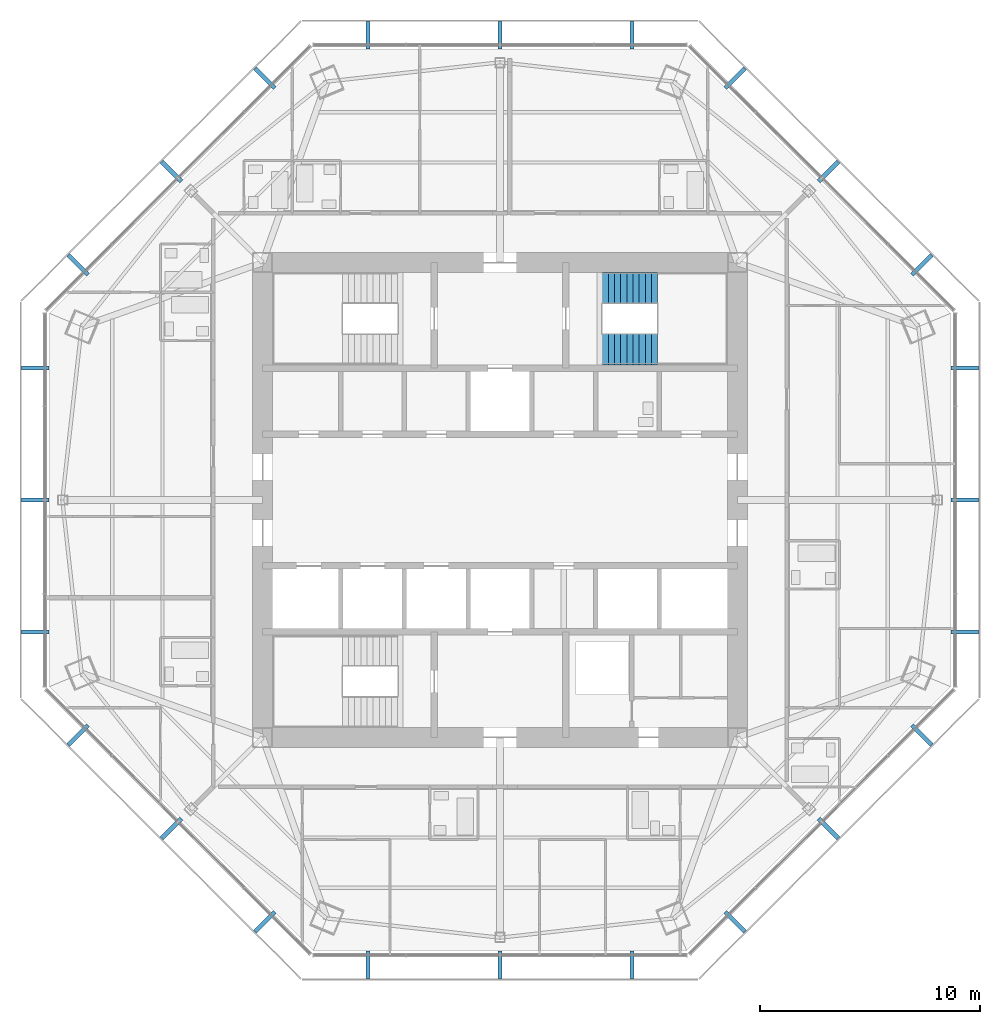
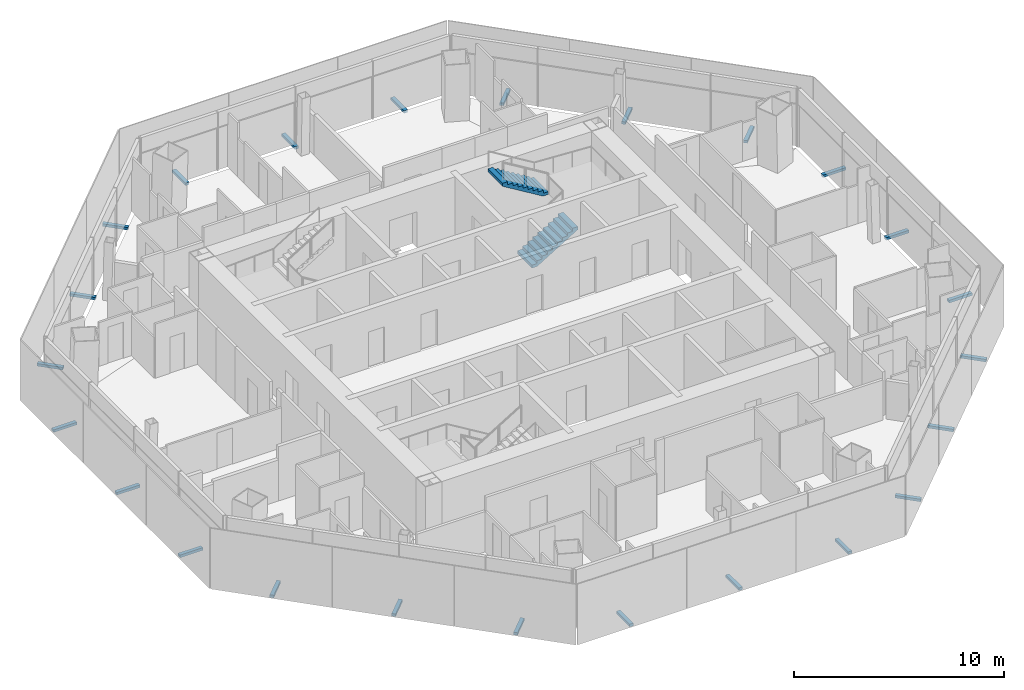
# One storey, part 13 of 15: 24 discrete accessories, 2 stair flights, 1 element without a shape of its own.
"""IFC4 building model written with IfcOpenShell, lengths in metres."""

from ifc_helpers import new_model, si_unit, direction, frame, origin, origin_2d, place, context, subcontext, project, spatial, polyline, rectangle, outline, extrude, source, transform, mapped, material, type_object, type_shapes, element, aggregate, save


model = new_model("IFC4")

# Units and contexts
model_context = context("Model", 3, precision=1e-05, world=origin(), true_north=direction((0.0, 1.0)))
body_context = subcontext(model_context, "Body", "Model", "MODEL_VIEW")
ifc_project = project(units=[si_unit("LENGTHUNIT", "METRE"), si_unit("AREAUNIT", "SQUARE_METRE"), si_unit("VOLUMEUNIT", "CUBIC_METRE"), si_unit("PLANEANGLEUNIT", "RADIAN"), si_unit("MASSUNIT", "GRAM", prefix="KILO")], contexts=[model_context])

# Site, building, storey
site_placement = place(None, origin())
site = spatial("IfcSite", under=ifc_project, at=site_placement, CompositionType="ELEMENT")
building_placement = place(site_placement, origin())
building = spatial("IfcBuilding", under=site, at=building_placement, Name="Mashrafa Tower", CompositionType="ELEMENT")
storey_placement = place(building_placement, frame((0.0, 0.0, 258.39990234375)))
storey = spatial("IfcBuildingStorey", under=building, at=storey_placement, Name="L62", CompositionType="ELEMENT", Elevation=258.39990234375)

# Stair, stair flights
ifc_material_1 = material(Name="Exit stair 1400")
stair_type = type_object("IfcStairType", Name="Exit stair 1400", PredefinedType="HALF_TURN_STAIR", material=ifc_material_1)
stair_placement = place(storey_placement, origin())
stair = element("IfcStair", 1, at=stair_placement, inside=storey, type_object=stair_type, Name="Stair S2 L62", PredefinedType="HALF_TURN_STAIR")
ifc_material_2 = material(Name="Concrete C32/40", Category="concrete")
stair_flight_type = type_object("IfcStairFlightType", Name="Stair flight 1400", PredefinedType="STRAIGHT", material=ifc_material_2)
stair_flight_1_placement = place(storey_placement, frame((4.64990234375, 6.85009765625, 0.0), z_axis=(0.0, 0.0, 1.0), x_axis=(1.0, 0.0, 0.0)))
stair_flight_1 = element("IfcStairFlight", 2, at=stair_flight_1_placement, type_object=stair_flight_type, Name="S2 flight 1", NumberOfRisers=10, NumberOfTreads=9, PredefinedType="STRAIGHT", RiserHeight=0.17, TreadLength=0.28, context=body_context, shape_type="SweptSolid", body=[
    extrude(outline(polyline([(0.0, 0.0), (0.0, 0.169921875), (0.280029296875, 0.169921875), (0.280029296875, 0.340087890625), (0.56005859375, 0.340087890625), (0.56005859375, 0.510009765625), (0.840087890625, 0.510009765625), (0.840087890625, 0.679931640625), (1.1201171875, 0.679931640625), (1.1201171875, 0.85009765625), (1.39990234375, 0.85009765625), (1.39990234375, 1.02001953125), (1.679931640625, 1.02001953125), (1.679931640625, 1.18994140625), (1.9599609375, 1.18994140625), (1.9599609375, 1.360107421875), (2.239990234375, 1.360107421875), (2.239990234375, 1.530029296875), (2.52001953125, 1.530029296875), (2.52001953125, 1.699951171875), (2.52001953125, 1.354736328125), (0.288818359375, 0.0), (0.0, 0.0)])), frame((0.0, 0.699951171875, 0.0), z_axis=(0.0, -1.0, 0.0), x_axis=(1.0, 0.0, 0.0)), (0.0, 0.0, 1.0), 1.39990234375),
])
stair_flight_2_placement = place(storey_placement, frame((7.169921875, 9.64990234375, 1.7001953125), z_axis=(0.0, 0.0, 1.0), x_axis=(-1.0, 0.0, 0.0)))
stair_flight_2 = element("IfcStairFlight", 3, at=stair_flight_2_placement, type_object=stair_flight_type, Name="S2 flight 2", NumberOfRisers=10, NumberOfTreads=9, PredefinedType="STRAIGHT", RiserHeight=0.17, TreadLength=0.28, context=body_context, shape_type="SweptSolid", body=[
    extrude(outline(polyline([(0.0, 0.0), (0.0, 0.169921875), (0.280029296875, 0.169921875), (0.280029296875, 0.340087890625), (0.56005859375, 0.340087890625), (0.56005859375, 0.510009765625), (0.840087890625, 0.510009765625), (0.840087890625, 0.679931640625), (1.1201171875, 0.679931640625), (1.1201171875, 0.85009765625), (1.39990234375, 0.85009765625), (1.39990234375, 1.02001953125), (1.679931640625, 1.02001953125), (1.679931640625, 1.18994140625), (1.9599609375, 1.18994140625), (1.9599609375, 1.360107421875), (2.239990234375, 1.360107421875), (2.239990234375, 1.530029296875), (2.52001953125, 1.530029296875), (2.52001953125, 1.699951171875), (2.52001953125, 1.354736328125), (0.288818359375, 0.0), (0.0, 0.0)])), frame((0.0, 0.699951171875, 0.0), z_axis=(0.0, -1.0, 0.0), x_axis=(1.0, 0.0, 0.0)), (0.0, 0.0, 1.0), 1.39990234375),
])
aggregate(stair, [stair_flight_1, stair_flight_2])

# Discrete accessories
ifc_material_3 = material(Name="Stainless steel screen bracket", Category="steel")
discrete_accessory_type = type_object("IfcDiscreteAccessoryType", Name="Screen support bracket 200 x 150", PredefinedType="BRACKET", material=ifc_material_3)
shared_shape = source(origin(), body_context, "Body", "SweptSolid", [
    extrude(rectangle(XDim=0.199951171875, YDim=1.27001953125, at=origin_2d()), origin(), (0.0, 0.0, 1.0), 0.14990234375),
])
type_shapes(discrete_accessory_type, [shared_shape])
for number, where, z_axis, x_axis, name in (
    (4, (21.139892578125, -6.00634765625, -0.14990234375), (0.0, 0.0, 1.0), (0.0, 1.0, 0.0), "Screen support bracket L62 east 1"),
    (5, (21.139892578125, 0.0, -0.14990234375), (0.0, 0.0, 1.0), (0.0, 1.0, 0.0), "Screen support bracket L62 east 2"),
    (6, (21.139892578125, 6.00634765625, -0.14990234375), (0.0, 0.0, 1.0), (0.0, 1.0, 0.0), "Screen support bracket L62 east 3"),
    (7, (19.1953125, 10.701171875, -0.14990234375), (0.0, 0.0, 1.0), (-0.707106781187, 0.707106781187, 0.0), "Screen support bracket L62 north-east 1"),
    (8, (14.9482421875, 14.9482421875, -0.14990234375), (0.0, 0.0, 1.0), (-0.707106781187, 0.707106781187, 0.0), "Screen support bracket L62 north-east 2"),
    (9, (10.701171875, 19.1953125, -0.14990234375), (0.0, 0.0, 1.0), (-0.707106781187, 0.707106781187, 0.0), "Screen support bracket L62 north-east 3"),
    (10, (6.00634765625, 21.139892578125, -0.14990234375), (0.0, 0.0, 1.0), (-1.0, 0.0, 0.0), "Screen support bracket L62 north 1"),
    (11, (0.0, 21.139892578125, -0.14990234375), (0.0, 0.0, 1.0), (-1.0, 0.0, 0.0), "Screen support bracket L62 north 2"),
    (12, (-6.00634765625, 21.139892578125, -0.14990234375), (0.0, 0.0, 1.0), (-1.0, 0.0, 0.0), "Screen support bracket L62 north 3"),
    (13, (-10.701171875, 19.1953125, -0.14990234375), (0.0, 0.0, 1.0), (-0.707106781187, -0.707106781187, 0.0), "Screen support bracket L62 north-west 1"),
    (14, (-14.9482421875, 14.9482421875, -0.14990234375), (0.0, 0.0, 1.0), (-0.707106781187, -0.707106781187, 0.0), "Screen support bracket L62 north-west 2"),
    (15, (-19.1953125, 10.701171875, -0.14990234375), (0.0, 0.0, 1.0), (-0.707106781187, -0.707106781187, 0.0), "Screen support bracket L62 north-west 3"),
    (16, (-21.139892578125, 6.00634765625, -0.14990234375), (0.0, 0.0, 1.0), (0.0, -1.0, 0.0), "Screen support bracket L62 west 1"),
    (17, (-21.139892578125, 0.0, -0.14990234375), (0.0, 0.0, 1.0), (0.0, -1.0, 0.0), "Screen support bracket L62 west 2"),
    (18, (-21.139892578125, -6.00634765625, -0.14990234375), (0.0, 0.0, 1.0), (0.0, -1.0, 0.0), "Screen support bracket L62 west 3"),
    (19, (-19.1953125, -10.701171875, -0.14990234375), (0.0, 0.0, 1.0), (0.707106781187, -0.707106781187, 0.0), "Screen support bracket L62 south-west 1"),
    (20, (-14.9482421875, -14.9482421875, -0.14990234375), (0.0, 0.0, 1.0), (0.707106781187, -0.707106781187, 0.0), "Screen support bracket L62 south-west 2"),
    (21, (-10.701171875, -19.1953125, -0.14990234375), (0.0, 0.0, 1.0), (0.707106781187, -0.707106781187, 0.0), "Screen support bracket L62 south-west 3"),
    (22, (-6.00634765625, -21.139892578125, -0.14990234375), (0.0, 0.0, 1.0), (1.0, 0.0, 0.0), "Screen support bracket L62 south 1"),
    (23, (0.0, -21.139892578125, -0.14990234375), (0.0, 0.0, 1.0), (1.0, 0.0, 0.0), "Screen support bracket L62 south 2"),
    (24, (6.00634765625, -21.139892578125, -0.14990234375), (0.0, 0.0, 1.0), (1.0, 0.0, 0.0), "Screen support bracket L62 south 3"),
    (25, (10.701171875, -19.1953125, -0.14990234375), (0.0, 0.0, 1.0), (0.707106781187, 0.707106781187, 0.0), "Screen support bracket L62 south-east 1"),
    (26, (14.9482421875, -14.9482421875, -0.14990234375), (0.0, 0.0, 1.0), (0.707106781187, 0.707106781187, 0.0), "Screen support bracket L62 south-east 2"),
    (27, (19.1953125, -10.701171875, -0.14990234375), (0.0, 0.0, 1.0), (0.707106781187, 0.707106781187, 0.0), "Screen support bracket L62 south-east 3"),
):
    element("IfcDiscreteAccessory", number, at=place(storey_placement, frame(where, z_axis=z_axis, x_axis=x_axis)), inside=storey, type_object=discrete_accessory_type, Name=name, PredefinedType="BRACKET", context=body_context, shape_type="MappedRepresentation", body=[
        mapped(shared_shape, transform((0.0, 0.0, 0.0))),
    ])

save(model, "model.ifc")
